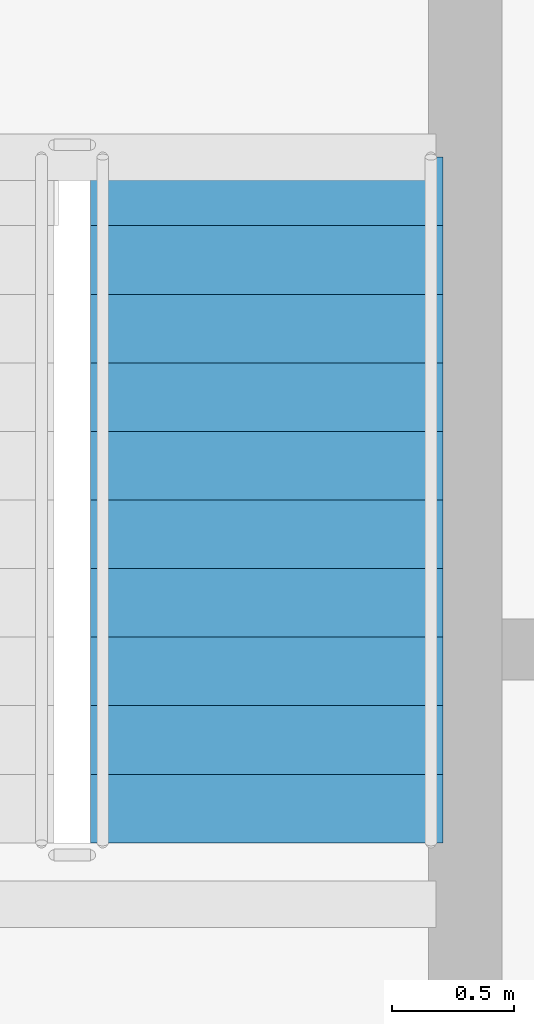
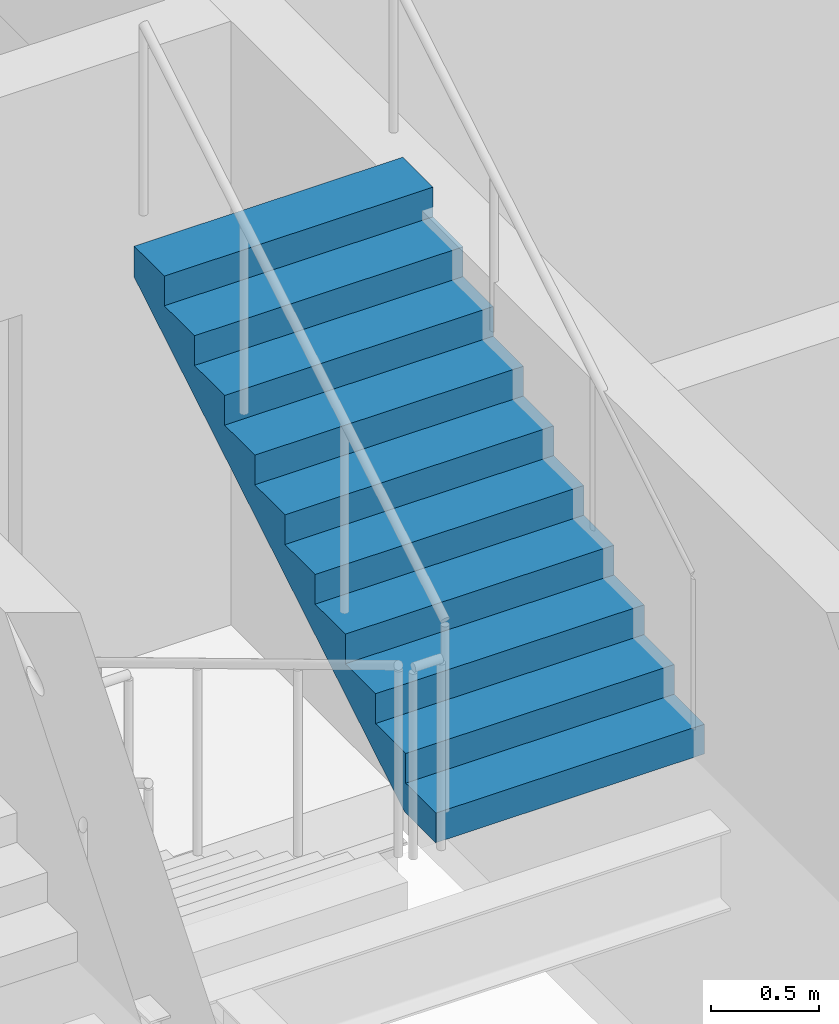
# One storey, part 24 of 29: 1 stair flight, 1 element without a shape of its own.
"""IFC4 building model written with IfcOpenShell, lengths in metres."""

from ifc_helpers import new_model, si_unit, direction, frame, origin, place, context, subcontext, project, spatial, polyline, outline, extrude, material, layer, layer_set, type_object, element, aggregate, save


model = new_model("IFC4")

# Units and contexts
model_context = context("Model", 3, precision=1e-05, world=origin(), true_north=direction((0.0, 1.0)))
body_context = subcontext(model_context, "Body", "Model", "MODEL_VIEW")
ifc_project = project(units=[si_unit("LENGTHUNIT", "METRE"), si_unit("AREAUNIT", "SQUARE_METRE"), si_unit("VOLUMEUNIT", "CUBIC_METRE"), si_unit("PLANEANGLEUNIT", "RADIAN"), si_unit("MASSUNIT", "GRAM", prefix="KILO")], contexts=[model_context])

# Site, building, storey
site_placement = place(None, origin())
site = spatial("IfcSite", under=ifc_project, at=site_placement, CompositionType="ELEMENT")
building_placement = place(site_placement, origin())
building = spatial("IfcBuilding", under=site, at=building_placement, Name="Solvaryn Broadcast Tower", CompositionType="ELEMENT")
storey_placement = place(building_placement, frame((0.0, 0.0, 161.800048828125)))
storey = spatial("IfcBuildingStorey", under=building, at=storey_placement, Name="L40", CompositionType="ELEMENT", Elevation=161.800048828125)

# Stair, stair flight
ifc_material_1 = material(Name="Concrete f'c 60 MPa", Category="concrete")
stair_type = type_object("IfcStairType", Name="ST-CORE", PredefinedType="HALF_TURN_STAIR", material=ifc_material_1)
stair_placement = place(storey_placement, origin())
stair = element("IfcStair", 1, at=stair_placement, inside=storey, type_object=stair_type, Name="L40 ST2", PredefinedType="HALF_TURN_STAIR")
ifc_material_2 = material(Name="Concrete f'c 60 MPa", Category="concrete")
ifc_layer = layer(ifc_material_2, 0.159912109375)
ifc_layer_set = layer_set([ifc_layer], Name="SF-CORE")
stair_flight_type = type_object("IfcStairFlightType", Name="SF-CORE", PredefinedType="STRAIGHT", material=ifc_layer_set)
stair_flight_placement = place(storey_placement, frame((17.110107421875, 33.159912109375, 1.849853515625), z_axis=(0.0, 0.0, 1.0), x_axis=(0.0, 1.0, 0.0)))
stair_flight = element("IfcStairFlight", 2, at=stair_flight_placement, type_object=stair_flight_type, Name="ST2 flight 2", NumberOfRisers=11, NumberOfTreads=10, PredefinedType="STRAIGHT", RiserHeight=0.168181818, TreadLength=0.28, context=body_context, shape_type="SweptSolid", body=[
    extrude(outline(polyline([(0.0, 0.0), (0.0, 0.168212890625), (0.280029296875, 0.168212890625), (0.280029296875, 0.33642578125), (0.56005859375, 0.33642578125), (0.56005859375, 0.504638671875), (0.840087890625, 0.504638671875), (0.840087890625, 0.672607421875), (1.1201171875, 0.672607421875), (1.1201171875, 0.8408203125), (1.39990234375, 0.8408203125), (1.39990234375, 1.009033203125), (1.679931640625, 1.009033203125), (1.679931640625, 1.17724609375), (1.9599609375, 1.17724609375), (1.9599609375, 1.345458984375), (2.239990234375, 1.345458984375), (2.239990234375, 1.513671875), (2.52001953125, 1.513671875), (2.52001953125, 1.681884765625), (2.800048828125, 1.681884765625), (2.800048828125, 1.85009765625), (2.800048828125, 1.5068359375), (0.291015625, 0.0), (0.0, 0.0)])), frame((0.0, 0.719970703125, 0.0), z_axis=(0.0, -1.0, 0.0), x_axis=(1.0, 0.0, 0.0)), (0.0, 0.0, 1.0), 1.43994140625),
])
aggregate(stair, [stair_flight])

save(model, "model.ifc")
